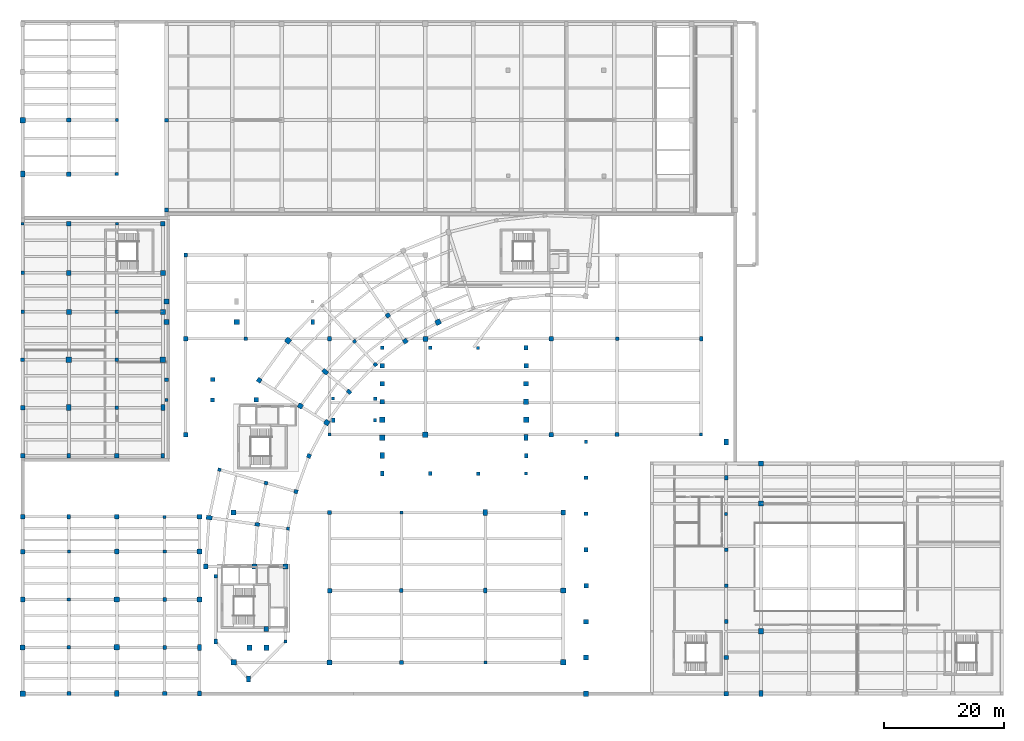
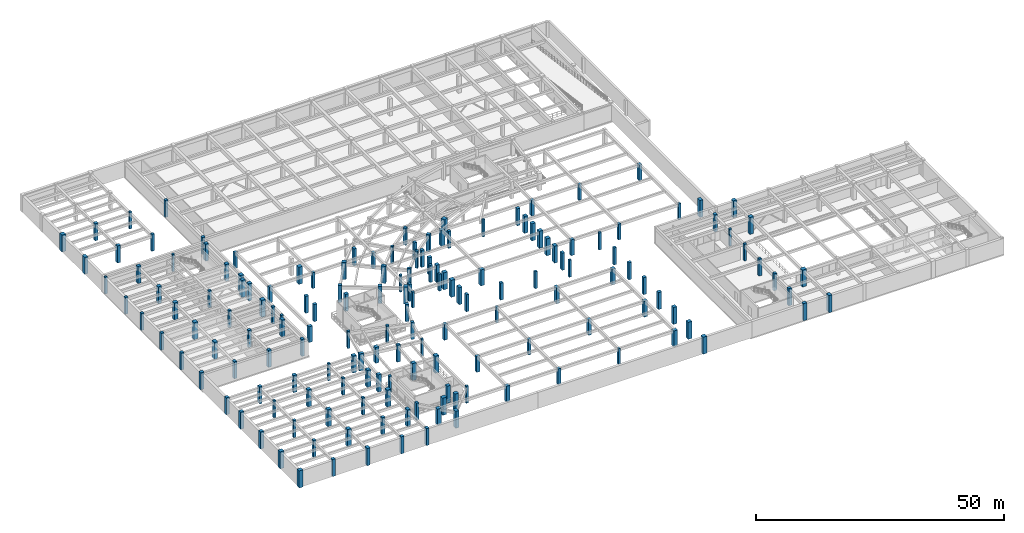
# One storey, part 1 of 35: 165 columns.
"""IFC4 building model written with IfcOpenShell, lengths in metres."""

from ifc_helpers import new_model, si_unit, direction, frame, origin, origin_2d, place, context, subcontext, project, spatial, rectangle, extrude, material, material_profile, profile_set, type_object, element, save


model = new_model("IFC4")

# Units and contexts
model_context = context("Model", 3, precision=1e-05, world=origin(), true_north=direction((0.0, 1.0)))
body_context = subcontext(model_context, "Body", "Model", "MODEL_VIEW")
ifc_project = project(units=[si_unit("LENGTHUNIT", "METRE"), si_unit("AREAUNIT", "SQUARE_METRE"), si_unit("VOLUMEUNIT", "CUBIC_METRE"), si_unit("PLANEANGLEUNIT", "RADIAN"), si_unit("MASSUNIT", "GRAM", prefix="KILO"), si_unit("THERMODYNAMICTEMPERATUREUNIT", "KELVIN"), si_unit("POWERUNIT", "WATT")], contexts=[model_context])

# Site, building, storey
site_placement = place(None, origin())
site = spatial("IfcSite", under=ifc_project, at=site_placement, CompositionType="ELEMENT")
building_placement = place(site_placement, origin())
building = spatial("IfcBuilding", under=site, at=building_placement, Name="Solvatero Civic Police Headquarters", CompositionType="ELEMENT")
storey_placement = place(building_placement, frame((0.0, 0.0, -4.199951171875)))
storey = spatial("IfcBuildingStorey", under=building, at=storey_placement, Name="B01", CompositionType="ELEMENT", Elevation=-4.199951171875)

# Columns
ifc_material = material(Name="Concrete C40/50", Category="concrete")
ifc_material_profile_1 = material_profile(ifc_material, rectangle(XDim=0.5, YDim=0.5, at=origin_2d()), Name="RC 500x500")
ifc_profile_set_1 = profile_set([ifc_material_profile_1], Name="Concrete C40/50")
column_type_1 = type_object("IfcColumnType", Name="COL-RC-500", PredefinedType="COLUMN", material=ifc_profile_set_1)
column_1_placement = place(storey_placement, frame((49.09130859375, 32.3115234375, 0.0), z_axis=(0.0, 0.0, 1.0), x_axis=(0.13917310096, 0.990268068742, 0.0)))
element("IfcColumn", 1, at=column_1_placement, inside=storey, type_object=column_type_1, Name="Column ARC-S11-IN B01", PredefinedType="COLUMN", context=body_context, shape_type="SweptSolid", body=[
    extrude(rectangle(XDim=0.5, YDim=0.5, at=origin_2d()), origin(), (0.0, 0.0, 1.0), 4.199951171875),
])
for number, where, z_axis, x_axis, name in (
    (2, (56.0, 48.0, 0.0), (0.0, 0.0, 1.0), (1.0, 0.0, 0.0), "Column BSUB-M-X3Y1 B01"),
    (3, (118.0, 48.0, 0.0), (0.0, 0.0, 1.0), (1.0, 0.0, 0.0), "Column BSUB-M-X7Y1 B01"),
    (4, (82.0, 10.0, 0.0), (0.0, 0.0, 1.0), (1.0, 0.0, 0.0), "Column BSUB-S-X4Y1 B01"),
):
    element("IfcColumn", number, at=place(storey_placement, frame(where, z_axis=z_axis, x_axis=x_axis)), inside=storey, type_object=column_type_1, Name=name, PredefinedType="COLUMN", context=body_context, shape_type="SweptSolid", body=[
        extrude(rectangle(XDim=0.5, YDim=0.5, at=origin_2d()), origin(), (0.0, 0.0, 1.0), 3.89990234375),
    ])
for number, where, z_axis, x_axis, name in (
    (5, (48.64990234375, 13.5, 0.0), (0.0, 0.0, 1.0), (1.0, 0.0, 0.0), "Column PROW-SE B01"),
    (6, (122.199951171875, 34.800048828125, 0.0), (0.0, 0.0, 1.0), (1.0, 0.0, 0.0), "Column V1-E-F6 B01"),
    (7, (88.800048828125, 41.5, 0.0), (0.0, 0.0, 1.0), (1.0, 0.0, 0.0), "Column V2-E-F1 B01"),
    (8, (80.800048828125, 62.5, 0.0), (0.0, 0.0, 1.0), (1.0, 0.0, 0.0), "Column V2-M2-Y62 B01"),
    (9, (56.60009765625, 54.0, 0.0), (0.0, 0.0, 1.0), (1.0, 0.0, 0.0), "Column V2LK-WN B01"),
    (10, (12.5, 28.5, 0.0), (0.0, 0.0, 1.0), (1.0, 0.0, 0.0), "Column V4-X2Y4 B01"),
    (11, (28.5, 34.300048828125, 0.0), (0.0, 0.0, 1.0), (1.0, 0.0, 0.0), "Column V4-X4Y5 B01"),
    (12, (4.800048828125, 83.199951171875, 0.0), (0.0, 0.0, 1.0), (1.0, 0.0, 0.0), "Column V6-X1Y6 B01"),
    (13, (20.5, 83.199951171875, 0.0), (0.0, 0.0, 1.0), (1.0, 0.0, 0.0), "Column V6-X3Y6 B01"),
    (14, (20.5, 100.5, 0.0), (0.0, 0.0, 1.0), (1.0, 0.0, 0.0), "Column V7NW-X3Y2 B01"),
):
    element("IfcColumn", number, at=place(storey_placement, frame(where, z_axis=z_axis, x_axis=x_axis)), inside=storey, type_object=column_type_1, Name=name, PredefinedType="COLUMN", context=body_context, shape_type="SweptSolid", body=[
        extrude(rectangle(XDim=0.5, YDim=0.5, at=origin_2d()), origin(), (0.0, 0.0, 1.0), 4.199951171875),
    ])
ifc_material_profile_2 = material_profile(ifc_material, rectangle(XDim=0.550048828125, YDim=0.550048828125, at=origin_2d()), Name="RC 550x550")
ifc_profile_set_2 = profile_set([ifc_material_profile_2], Name="Concrete C40/50")
column_type_2 = type_object("IfcColumnType", Name="COL-RC-550", PredefinedType="COLUMN", material=ifc_profile_set_2)
for number, where, z_axis, x_axis, name in (
    (15, (60.17529296875, 63.56591796875, 0.0), (0.0, 0.0, 1.0), (0.743144825477, 0.669130606359, 0.0), "Column ARC-S06-MID B01"),
    (16, (37.6220703125, 42.166015625, 0.0), (0.0, 0.0, 1.0), (0.275637355817, 0.961261695938, 0.0), "Column ARC-S10-OUT B01"),
):
    element("IfcColumn", number, at=place(storey_placement, frame(where, z_axis=z_axis, x_axis=x_axis)), inside=storey, type_object=column_type_2, Name=name, PredefinedType="COLUMN", context=body_context, shape_type="SweptSolid", body=[
        extrude(rectangle(XDim=0.550048828125, YDim=0.550048828125, at=origin_2d()), origin(), (0.0, 0.0, 1.0), 4.199951171875),
    ])
column_2_placement = place(storey_placement, frame((68.0, 35.0, 0.0), z_axis=(0.0, 0.0, 1.0), x_axis=(1.0, 0.0, 0.0)))
element("IfcColumn", 17, at=column_2_placement, inside=storey, type_object=column_type_2, Name="Column BSUB-S-X3Y3 B01", PredefinedType="COLUMN", context=body_context, shape_type="SweptSolid", body=[
    extrude(rectangle(XDim=0.550048828125, YDim=0.550048828125, at=origin_2d()), origin(), (0.0, 0.0, 1.0), 3.89990234375),
])
for number, where, z_axis, x_axis, name in (
    (18, (37.0, 24.39990234375, 0.0), (0.0, 0.0, 1.0), (1.0, 0.0, 0.0), "Column PROW-NW B01"),
    (19, (28.800048828125, 53.800048828125, 0.0), (0.0, 0.0, 1.0), (1.0, 0.0, 0.0), "Column SB1-W-S B01"),
    (20, (122.199951171875, 28.800048828125, 0.0), (0.0, 0.0, 1.0), (1.0, 0.0, 0.0), "Column V1-E-F5 B01"),
    (21, (98.800048828125, 46.800048828125, 0.0), (0.0, 0.0, 1.0), (1.0, 0.0, 0.0), "Column V1-W-F8 B01"),
    (22, (80.800048828125, 41.5, 0.0), (0.0, 0.0, 1.0), (1.0, 0.0, 0.0), "Column V2-M2-Y41 B01"),
    (23, (63.60009765625, 50.39990234375, 0.0), (0.0, 0.0, 1.0), (1.0, 0.0, 0.0), "Column V2LK-ES B01"),
    (24, (12.5, 20.5, 0.0), (0.0, 0.0, 1.0), (1.0, 0.0, 0.0), "Column V4-X2Y3 B01"),
    (25, (28.5, 28.5, 0.0), (0.0, 0.0, 1.0), (1.0, 0.0, 0.0), "Column V4-X4Y4 B01"),
    (26, (4.800048828125, 75.0, 0.0), (0.0, 0.0, 1.0), (1.0, 0.0, 0.0), "Column V6-X1Y5 B01"),
    (27, (20.5, 68.5, 0.0), (0.0, 0.0, 1.0), (1.0, 0.0, 0.0), "Column V6-X3Y4 B01"),
    (28, (20.5, 91.5, 0.0), (0.0, 0.0, 1.0), (1.0, 0.0, 0.0), "Column V7NW-X3Y1 B01"),
):
    element("IfcColumn", number, at=place(storey_placement, frame(where, z_axis=z_axis, x_axis=x_axis)), inside=storey, type_object=column_type_2, Name=name, PredefinedType="COLUMN", context=body_context, shape_type="SweptSolid", body=[
        extrude(rectangle(XDim=0.550048828125, YDim=0.550048828125, at=origin_2d()), origin(), (0.0, 0.0, 1.0), 4.199951171875),
    ])
ifc_material_profile_3 = material_profile(ifc_material, rectangle(XDim=0.60009765625, YDim=0.60009765625, at=origin_2d()), Name="RC 600x600")
ifc_profile_set_3 = profile_set([ifc_material_profile_3], Name="Concrete C40/50")
column_type_3 = type_object("IfcColumnType", Name="COL-RC-600", PredefinedType="COLUMN", material=ifc_profile_set_3)
for number, where, z_axis, x_axis, name in (
    (29, (63.65478515625, 59.70166015625, 0.0), (0.0, 0.0, 1.0), (0.743144825477, 0.669130606359, 0.0), "Column ARC-S06-IN B01"),
    (30, (45.408203125, 39.93359375, 0.0), (0.0, 0.0, 1.0), (0.275637355817, 0.961261695938, 0.0), "Column ARC-S10-MID B01"),
):
    element("IfcColumn", number, at=place(storey_placement, frame(where, z_axis=z_axis, x_axis=x_axis)), inside=storey, type_object=column_type_3, Name=name, PredefinedType="COLUMN", context=body_context, shape_type="SweptSolid", body=[
        extrude(rectangle(XDim=0.60009765625, YDim=0.60009765625, at=origin_2d()), origin(), (0.0, 0.0, 1.0), 4.199951171875),
    ])
for number, where, z_axis, x_axis, name in (
    (31, (42.0, 64.0, 0.0), (0.0, 0.0, 1.0), (1.0, 0.0, 0.0), "Column BSUB-M-X2Y2 B01"),
    (32, (104.0, 64.0, 0.0), (0.0, 0.0, 1.0), (1.0, 0.0, 0.0), "Column BSUB-M-X6Y2 B01"),
    (33, (68.0, 22.0, 0.0), (0.0, 0.0, 1.0), (1.0, 0.0, 0.0), "Column BSUB-S-X3Y2 B01"),
):
    element("IfcColumn", number, at=place(storey_placement, frame(where, z_axis=z_axis, x_axis=x_axis)), inside=storey, type_object=column_type_3, Name=name, PredefinedType="COLUMN", context=body_context, shape_type="SweptSolid", body=[
        extrude(rectangle(XDim=0.60009765625, YDim=0.60009765625, at=origin_2d()), origin(), (0.0, 0.0, 1.0), 3.89990234375),
    ])
for number, where, z_axis, x_axis, name in (
    (34, (28.800048828125, 57.199951171875, 0.0), (0.0, 0.0, 1.0), (1.0, 0.0, 0.0), "Column SB1-W-N B01"),
    (35, (122.199951171875, 22.800048828125, 0.0), (0.0, 0.0, 1.0), (1.0, 0.0, 0.0), "Column V1-E-F4 B01"),
    (36, (98.800048828125, 40.800048828125, 0.0), (0.0, 0.0, 1.0), (1.0, 0.0, 0.0), "Column V1-W-F7 B01"),
    (37, (72.800048828125, 62.5, 0.0), (0.0, 0.0, 1.0), (1.0, 0.0, 0.0), "Column V2-M1-Y62 B01"),
    (38, (63.60009765625, 54.0, 0.0), (0.0, 0.0, 1.0), (1.0, 0.0, 0.0), "Column V2LK-EN B01"),
    (39, (12.5, 12.5, 0.0), (0.0, 0.0, 1.0), (1.0, 0.0, 0.0), "Column V4-X2Y2 B01"),
    (40, (28.5, 20.5, 0.0), (0.0, 0.0, 1.0), (1.0, 0.0, 0.0), "Column V4-X4Y3 B01"),
    (41, (4.800048828125, 68.5, 0.0), (0.0, 0.0, 1.0), (1.0, 0.0, 0.0), "Column V6-X1Y4 B01"),
    (42, (20.5, 60.5, 0.0), (0.0, 0.0, 1.0), (1.0, 0.0, 0.0), "Column V6-X3Y3 B01"),
    (43, (28.800048828125, 100.5, 0.0), (0.0, 0.0, 1.0), (1.0, 0.0, 0.0), "Column V7-X1Y2 B01"),
):
    element("IfcColumn", number, at=place(storey_placement, frame(where, z_axis=z_axis, x_axis=x_axis)), inside=storey, type_object=column_type_3, Name=name, PredefinedType="COLUMN", context=body_context, shape_type="SweptSolid", body=[
        extrude(rectangle(XDim=0.60009765625, YDim=0.60009765625, at=origin_2d()), origin(), (0.0, 0.0, 1.0), 4.199951171875),
    ])
ifc_material_profile_4 = material_profile(ifc_material, rectangle(XDim=0.60009765625, YDim=0.800048828125, at=origin_2d()), Name="RC 600x800")
ifc_profile_set_4 = profile_set([ifc_material_profile_4], Name="Concrete C40/50")
column_type_4 = type_object("IfcColumnType", Name="COL-RC-600x800", PredefinedType="COLUMN", material=ifc_profile_set_4)
for number, where, z_axis, x_axis, name in (
    (44, (59.260009765625, 55.150390625, 0.0), (0.0, 0.0, 1.0), (0.642787609687, 0.766044443119, 0.0), "Column ARC-S07-IN B01"),
    (45, (43.94189453125, 33.03515625, 0.0), (0.0, 0.0, 1.0), (0.13917310096, 0.990268068742, 0.0), "Column ARC-S11-MID B01"),
):
    element("IfcColumn", number, at=place(storey_placement, frame(where, z_axis=z_axis, x_axis=x_axis)), inside=storey, type_object=column_type_4, Name=name, PredefinedType="COLUMN", context=body_context, shape_type="SweptSolid", body=[
        extrude(rectangle(XDim=0.60009765625, YDim=0.800048828125, at=origin_2d()), origin(), (0.0, 0.0, 1.0), 4.199951171875),
    ])
for number, where, z_axis, x_axis, name in (
    (46, (56.0, 64.0, 0.0), (0.0, 0.0, 1.0), (1.0, 0.0, 0.0), "Column BSUB-M-X3Y2 B01"),
    (47, (118.0, 64.0, 0.0), (0.0, 0.0, 1.0), (1.0, 0.0, 0.0), "Column BSUB-M-X7Y2 B01"),
    (48, (82.0, 22.0, 0.0), (0.0, 0.0, 1.0), (1.0, 0.0, 0.0), "Column BSUB-S-X4Y2 B01"),
):
    element("IfcColumn", number, at=place(storey_placement, frame(where, z_axis=z_axis, x_axis=x_axis)), inside=storey, type_object=column_type_4, Name=name, PredefinedType="COLUMN", context=body_context, shape_type="SweptSolid", body=[
        extrude(rectangle(XDim=0.60009765625, YDim=0.800048828125, at=origin_2d()), origin(), (0.0, 0.0, 1.0), 3.89990234375),
    ])
for number, where, z_axis, x_axis, name in (
    (49, (37.0, 13.5, 0.0), (0.0, 0.0, 1.0), (1.0, 0.0, 0.0), "Column PROW-SW B01"),
    (50, (53.199951171875, 66.800048828125, 0.0), (0.0, 0.0, 1.0), (1.0, 0.0, 0.0), "Column SB2-E-S B01"),
    (51, (122.199951171875, 40.800048828125, 0.0), (0.0, 0.0, 1.0), (1.0, 0.0, 0.0), "Column V1-E-F7 B01"),
    (52, (88.800048828125, 44.5, 0.0), (0.0, 0.0, 1.0), (1.0, 0.0, 0.0), "Column V2-E-F2 B01"),
    (53, (64.800048828125, 41.5, 0.0), (0.0, 0.0, 1.0), (1.0, 0.0, 0.0), "Column V2-W-F1 B01"),
    (54, (56.60009765625, 50.39990234375, 0.0), (0.0, 0.0, 1.0), (1.0, 0.0, 0.0), "Column V2LK-WS B01"),
    (55, (12.5, 34.300048828125, 0.0), (0.0, 0.0, 1.0), (1.0, 0.0, 0.0), "Column V4-X2Y5 B01"),
    (56, (34.300048828125, 4.800048828125, 0.0), (0.0, 0.0, 1.0), (1.0, 0.0, 0.0), "Column V4-X5Y1 B01"),
    (57, (12.5, 44.5, 0.0), (0.0, 0.0, 1.0), (1.0, 0.0, 0.0), "Column V6-X2Y1 B01"),
    (58, (28.199951171875, 44.5, 0.0), (0.0, 0.0, 1.0), (1.0, 0.0, 0.0), "Column V6-X4Y1 B01"),
):
    element("IfcColumn", number, at=place(storey_placement, frame(where, z_axis=z_axis, x_axis=x_axis)), inside=storey, type_object=column_type_4, Name=name, PredefinedType="COLUMN", context=body_context, shape_type="SweptSolid", body=[
        extrude(rectangle(XDim=0.60009765625, YDim=0.800048828125, at=origin_2d()), origin(), (0.0, 0.0, 1.0), 4.199951171875),
    ])
ifc_material_profile_5 = material_profile(ifc_material, rectangle(XDim=0.64990234375, YDim=0.64990234375, at=origin_2d()), Name="RC 650x650")
ifc_profile_set_5 = profile_set([ifc_material_profile_5], Name="Concrete C40/50")
column_type_5 = type_object("IfcColumnType", Name="COL-RC-650", PredefinedType="COLUMN", material=ifc_profile_set_5)
column_3_placement = place(storey_placement, frame((50.40673828125, 38.500244140625, 0.0), z_axis=(0.0, 0.0, 1.0), x_axis=(0.275637355817, 0.961261695938, 0.0)))
element("IfcColumn", 59, at=column_3_placement, inside=storey, type_object=column_type_5, Name="Column ARC-S10-IN B01", PredefinedType="COLUMN", context=body_context, shape_type="SweptSolid", body=[
    extrude(rectangle(XDim=0.64990234375, YDim=0.64990234375, at=origin_2d()), origin(), (0.0, 0.0, 1.0), 4.199951171875),
])
for number, where, z_axis, x_axis, name in (
    (60, (32.0, 78.0, 0.0), (0.0, 0.0, 1.0), (1.0, 0.0, 0.0), "Column BSUB-M-X1Y3 B01"),
    (61, (104.0, 48.0, 0.0), (0.0, 0.0, 1.0), (1.0, 0.0, 0.0), "Column BSUB-M-X6Y1 B01"),
    (62, (68.0, 10.0, 0.0), (0.0, 0.0, 1.0), (1.0, 0.0, 0.0), "Column BSUB-S-X3Y1 B01"),
):
    element("IfcColumn", number, at=place(storey_placement, frame(where, z_axis=z_axis, x_axis=x_axis)), inside=storey, type_object=column_type_5, Name=name, PredefinedType="COLUMN", context=body_context, shape_type="SweptSolid", body=[
        extrude(rectangle(XDim=0.64990234375, YDim=0.64990234375, at=origin_2d()), origin(), (0.0, 0.0, 1.0), 3.89990234375),
    ])
for number, where, z_axis, x_axis, name in (
    (63, (36.5, 53.800048828125, 0.0), (0.0, 0.0, 1.0), (1.0, 0.0, 0.0), "Column SB1-MID-S B01"),
    (64, (122.199951171875, 16.800048828125, 0.0), (0.0, 0.0, 1.0), (1.0, 0.0, 0.0), "Column V1-E-F3 B01"),
    (65, (98.800048828125, 34.800048828125, 0.0), (0.0, 0.0, 1.0), (1.0, 0.0, 0.0), "Column V1-W-F6 B01"),
    (66, (72.800048828125, 41.5, 0.0), (0.0, 0.0, 1.0), (1.0, 0.0, 0.0), "Column V2-M1-Y41 B01"),
    (67, (64.800048828125, 62.5, 0.0), (0.0, 0.0, 1.0), (1.0, 0.0, 0.0), "Column V2-W-F8 B01"),
    (68, (12.5, 4.800048828125, 0.0), (0.0, 0.0, 1.0), (1.0, 0.0, 0.0), "Column V4-X2Y1 B01"),
    (69, (28.5, 12.5, 0.0), (0.0, 0.0, 1.0), (1.0, 0.0, 0.0), "Column V4-X4Y2 B01"),
    (70, (4.800048828125, 60.5, 0.0), (0.0, 0.0, 1.0), (1.0, 0.0, 0.0), "Column V6-X1Y3 B01"),
    (71, (20.5, 52.5, 0.0), (0.0, 0.0, 1.0), (1.0, 0.0, 0.0), "Column V6-X3Y2 B01"),
    (72, (28.800048828125, 85.5, 0.0), (0.0, 0.0, 1.0), (1.0, 0.0, 0.0), "Column V7-X1Y1 B01"),
):
    element("IfcColumn", number, at=place(storey_placement, frame(where, z_axis=z_axis, x_axis=x_axis)), inside=storey, type_object=column_type_5, Name=name, PredefinedType="COLUMN", context=body_context, shape_type="SweptSolid", body=[
        extrude(rectangle(XDim=0.64990234375, YDim=0.64990234375, at=origin_2d()), origin(), (0.0, 0.0, 1.0), 4.199951171875),
    ])
ifc_material_profile_6 = material_profile(ifc_material, rectangle(XDim=0.699951171875, YDim=0.699951171875, at=origin_2d()), Name="RC 700x700")
ifc_profile_set_6 = profile_set([ifc_material_profile_6], Name="Concrete C40/50")
column_type_6 = type_object("IfcColumnType", Name="COL-RC-700", PredefinedType="COLUMN", material=ifc_profile_set_6)
for number, where, z_axis, x_axis, name in (
    (73, (65.73291015625, 67.90771484375, 0.0), (0.0, 0.0, 1.0), (0.829037572555, 0.559192903471, 0.0), "Column ARC-S05-MID B01"),
    (74, (52.57080078125, 44.445556640625, 0.0), (0.0, 0.0, 1.0), (0.406736643076, 0.913545457643, 0.0), "Column ARC-S09-IN B01"),
):
    element("IfcColumn", number, at=place(storey_placement, frame(where, z_axis=z_axis, x_axis=x_axis)), inside=storey, type_object=column_type_6, Name=name, PredefinedType="COLUMN", context=body_context, shape_type="SweptSolid", body=[
        extrude(rectangle(XDim=0.699951171875, YDim=0.699951171875, at=origin_2d()), origin(), (0.0, 0.0, 1.0), 4.199951171875),
    ])
for number, where, z_axis, x_axis, name in (
    (75, (32.0, 64.0, 0.0), (0.0, 0.0, 1.0), (1.0, 0.0, 0.0), "Column BSUB-M-X1Y2 B01"),
    (76, (93.0, 64.0, 0.0), (0.0, 0.0, 1.0), (1.0, 0.0, 0.0), "Column BSUB-M-X5Y2 B01"),
    (77, (56.0, 35.0, 0.0), (0.0, 0.0, 1.0), (1.0, 0.0, 0.0), "Column BSUB-S-X2Y3 B01"),
):
    element("IfcColumn", number, at=place(storey_placement, frame(where, z_axis=z_axis, x_axis=x_axis)), inside=storey, type_object=column_type_6, Name=name, PredefinedType="COLUMN", context=body_context, shape_type="SweptSolid", body=[
        extrude(rectangle(XDim=0.699951171875, YDim=0.699951171875, at=origin_2d()), origin(), (0.0, 0.0, 1.0), 3.89990234375),
    ])
for number, where, z_axis, x_axis, name in (
    (78, (36.5, 57.199951171875, 0.0), (0.0, 0.0, 1.0), (1.0, 0.0, 0.0), "Column SB1-MID-N B01"),
    (79, (122.199951171875, 10.800048828125, 0.0), (0.0, 0.0, 1.0), (1.0, 0.0, 0.0), "Column V1-E-F2 B01"),
    (80, (98.800048828125, 28.800048828125, 0.0), (0.0, 0.0, 1.0), (1.0, 0.0, 0.0), "Column V1-W-F5 B01"),
    (81, (88.800048828125, 62.5, 0.0), (0.0, 0.0, 1.0), (1.0, 0.0, 0.0), "Column V2-E-F8 B01"),
    (82, (64.800048828125, 59.5, 0.0), (0.0, 0.0, 1.0), (1.0, 0.0, 0.0), "Column V2-W-F7 B01"),
    (83, (4.800048828125, 34.300048828125, 0.0), (0.0, 0.0, 1.0), (1.0, 0.0, 0.0), "Column V4-X1Y5 B01"),
    (84, (28.5, 4.800048828125, 0.0), (0.0, 0.0, 1.0), (1.0, 0.0, 0.0), "Column V4-X4Y1 B01"),
    (85, (4.800048828125, 52.5, 0.0), (0.0, 0.0, 1.0), (1.0, 0.0, 0.0), "Column V6-X1Y2 B01"),
    (86, (20.5, 44.5, 0.0), (0.0, 0.0, 1.0), (1.0, 0.0, 0.0), "Column V6-X3Y1 B01"),
    (87, (12.5, 100.5, 0.0), (0.0, 0.0, 1.0), (1.0, 0.0, 0.0), "Column V7NW-X2Y2 B01"),
):
    element("IfcColumn", number, at=place(storey_placement, frame(where, z_axis=z_axis, x_axis=x_axis)), inside=storey, type_object=column_type_6, Name=name, PredefinedType="COLUMN", context=body_context, shape_type="SweptSolid", body=[
        extrude(rectangle(XDim=0.699951171875, YDim=0.699951171875, at=origin_2d()), origin(), (0.0, 0.0, 1.0), 4.199951171875),
    ])
ifc_material_profile_7 = material_profile(ifc_material, rectangle(XDim=0.699951171875, YDim=1.0, at=origin_2d()), Name="RC 700x1000")
ifc_profile_set_7 = profile_set([ifc_material_profile_7], Name="Concrete C40/50")
column_type_7 = type_object("IfcColumnType", Name="COL-RC-700x1000", PredefinedType="COLUMN", material=ifc_profile_set_7)
for number, where, z_axis, x_axis, name in (
    (88, (55.276611328125, 58.492919921875, 0.0), (0.0, 0.0, 1.0), (0.642787609687, 0.766044443119, 0.0), "Column ARC-S07-MID B01"),
    (89, (35.9208984375, 34.16259765625, 0.0), (0.0, 0.0, 1.0), (0.13917310096, 0.990268068742, 0.0), "Column ARC-S11-OUT B01"),
):
    element("IfcColumn", number, at=place(storey_placement, frame(where, z_axis=z_axis, x_axis=x_axis)), inside=storey, type_object=column_type_7, Name=name, PredefinedType="COLUMN", context=body_context, shape_type="SweptSolid", body=[
        extrude(rectangle(XDim=0.699951171875, YDim=1.0, at=origin_2d()), origin(), (0.0, 0.0, 1.0), 4.199951171875),
    ])
column_4_placement = place(storey_placement, frame((82.0, 35.0, 0.0), z_axis=(0.0, 0.0, 1.0), x_axis=(1.0, 0.0, 0.0)))
element("IfcColumn", 90, at=column_4_placement, inside=storey, type_object=column_type_7, Name="Column BSUB-S-X4Y3 B01", PredefinedType="COLUMN", context=body_context, shape_type="SweptSolid", body=[
    extrude(rectangle(XDim=0.699951171875, YDim=1.0, at=origin_2d()), origin(), (0.0, 0.0, 1.0), 3.89990234375),
])
for number, where, z_axis, x_axis, name in (
    (91, (42.5, 7.199951171875, 0.0), (0.0, 0.0, 1.0), (1.0, 0.0, 0.0), "Column PROW-TIP B01"),
    (92, (122.199951171875, 46.800048828125, 0.0), (0.0, 0.0, 1.0), (1.0, 0.0, 0.0), "Column V1-E-F8 B01"),
    (93, (88.800048828125, 47.5, 0.0), (0.0, 0.0, 1.0), (1.0, 0.0, 0.0), "Column V2-E-F3 B01"),
    (94, (64.800048828125, 44.5, 0.0), (0.0, 0.0, 1.0), (1.0, 0.0, 0.0), "Column V2-W-F2 B01"),
    (95, (128.0, 4.800048828125, 0.0), (0.0, 0.0, 1.0), (1.0, 0.0, 0.0), "Column V3-X1Y1 B01"),
    (96, (20.5, 4.800048828125, 0.0), (0.0, 0.0, 1.0), (1.0, 0.0, 0.0), "Column V4-X3Y1 B01"),
    (97, (34.300048828125, 12.5, 0.0), (0.0, 0.0, 1.0), (1.0, 0.0, 0.0), "Column V4-X5Y2 B01"),
    (98, (12.5, 52.5, 0.0), (0.0, 0.0, 1.0), (1.0, 0.0, 0.0), "Column V6-X2Y2 B01"),
    (99, (28.199951171875, 52.5, 0.0), (0.0, 0.0, 1.0), (1.0, 0.0, 0.0), "Column V6-X4Y2 B01"),
    (100, (4.800048828125, 91.5, 0.0), (0.0, 0.0, 1.0), (1.0, 0.0, 0.0), "Column V7NW-X1Y1 B01"),
):
    element("IfcColumn", number, at=place(storey_placement, frame(where, z_axis=z_axis, x_axis=x_axis)), inside=storey, type_object=column_type_7, Name=name, PredefinedType="COLUMN", context=body_context, shape_type="SweptSolid", body=[
        extrude(rectangle(XDim=0.699951171875, YDim=1.0, at=origin_2d()), origin(), (0.0, 0.0, 1.0), 4.199951171875),
    ])
ifc_material_profile_8 = material_profile(ifc_material, rectangle(XDim=0.75, YDim=0.75, at=origin_2d()), Name="RC 750x750")
ifc_profile_set_8 = profile_set([ifc_material_profile_8], Name="Concrete C40/50")
column_type_8 = type_object("IfcColumnType", Name="COL-RC-750", PredefinedType="COLUMN", material=ifc_profile_set_8)
for number, where, z_axis, x_axis, name in (
    (101, (68.640625, 63.596923828125, 0.0), (0.0, 0.0, 1.0), (0.829037572555, 0.559192903471, 0.0), "Column ARC-S05-IN B01"),
    (102, (44.261962890625, 57.079833984375, 0.0), (0.0, 0.0, 1.0), (0.529919264233, 0.848048096156, 0.0), "Column ARC-S08-OUT B01"),
):
    element("IfcColumn", number, at=place(storey_placement, frame(where, z_axis=z_axis, x_axis=x_axis)), inside=storey, type_object=column_type_8, Name=name, PredefinedType="COLUMN", context=body_context, shape_type="SweptSolid", body=[
        extrude(rectangle(XDim=0.75, YDim=0.75, at=origin_2d()), origin(), (0.0, 0.0, 1.0), 4.199951171875),
    ])
for number, where, z_axis, x_axis, name in (
    (103, (32.0, 48.0, 0.0), (0.0, 0.0, 1.0), (1.0, 0.0, 0.0), "Column BSUB-M-X1Y1 B01"),
    (104, (93.0, 48.0, 0.0), (0.0, 0.0, 1.0), (1.0, 0.0, 0.0), "Column BSUB-M-X5Y1 B01"),
    (105, (56.0, 22.0, 0.0), (0.0, 0.0, 1.0), (1.0, 0.0, 0.0), "Column BSUB-S-X2Y2 B01"),
):
    element("IfcColumn", number, at=place(storey_placement, frame(where, z_axis=z_axis, x_axis=x_axis)), inside=storey, type_object=column_type_8, Name=name, PredefinedType="COLUMN", context=body_context, shape_type="SweptSolid", body=[
        extrude(rectangle(XDim=0.75, YDim=0.75, at=origin_2d()), origin(), (0.0, 0.0, 1.0), 3.89990234375),
    ])
for number, where, z_axis, x_axis, name in (
    (106, (43.800048828125, 53.800048828125, 0.0), (0.0, 0.0, 1.0), (1.0, 0.0, 0.0), "Column SB1-E-S B01"),
    (107, (122.199951171875, 4.800048828125, 0.0), (0.0, 0.0, 1.0), (1.0, 0.0, 0.0), "Column V1-E-F1 B01"),
    (108, (98.800048828125, 22.800048828125, 0.0), (0.0, 0.0, 1.0), (1.0, 0.0, 0.0), "Column V1-W-F4 B01"),
    (109, (88.800048828125, 59.5, 0.0), (0.0, 0.0, 1.0), (1.0, 0.0, 0.0), "Column V2-E-F7 B01"),
    (110, (64.800048828125, 56.5, 0.0), (0.0, 0.0, 1.0), (1.0, 0.0, 0.0), "Column V2-W-F6 B01"),
    (111, (4.800048828125, 28.5, 0.0), (0.0, 0.0, 1.0), (1.0, 0.0, 0.0), "Column V4-X1Y4 B01"),
    (112, (20.5, 34.300048828125, 0.0), (0.0, 0.0, 1.0), (1.0, 0.0, 0.0), "Column V4-X3Y5 B01"),
    (113, (4.800048828125, 44.5, 0.0), (0.0, 0.0, 1.0), (1.0, 0.0, 0.0), "Column V6-X1Y1 B01"),
    (114, (12.5, 83.199951171875, 0.0), (0.0, 0.0, 1.0), (1.0, 0.0, 0.0), "Column V6-X2Y6 B01"),
    (115, (28.199951171875, 83.199951171875, 0.0), (0.0, 0.0, 1.0), (1.0, 0.0, 0.0), "Column V6-X4Y6 B01"),
    (116, (12.5, 91.5, 0.0), (0.0, 0.0, 1.0), (1.0, 0.0, 0.0), "Column V7NW-X2Y1 B01"),
):
    element("IfcColumn", number, at=place(storey_placement, frame(where, z_axis=z_axis, x_axis=x_axis)), inside=storey, type_object=column_type_8, Name=name, PredefinedType="COLUMN", context=body_context, shape_type="SweptSolid", body=[
        extrude(rectangle(XDim=0.75, YDim=0.75, at=origin_2d()), origin(), (0.0, 0.0, 1.0), 4.199951171875),
    ])
ifc_material_profile_9 = material_profile(ifc_material, rectangle(XDim=0.800048828125, YDim=0.800048828125, at=origin_2d()), Name="RC 800x800")
ifc_profile_set_9 = profile_set([ifc_material_profile_9], Name="Concrete C40/50")
column_type_9 = type_object("IfcColumnType", Name="COL-RC-800", PredefinedType="COLUMN", material=ifc_profile_set_9)
for number, where, z_axis, x_axis, name in (
    (117, (51.131103515625, 52.787353515625, 0.0), (0.0, 0.0, 1.0), (0.529919264233, 0.848048096156, 0.0), "Column ARC-S08-MID B01"),
    (118, (35.35009765625, 26.0, 0.0), (0.0, 0.0, 1.0), (0.0, 1.0, 0.0), "Column ARC-S12-OUT B01"),
):
    element("IfcColumn", number, at=place(storey_placement, frame(where, z_axis=z_axis, x_axis=x_axis)), inside=storey, type_object=column_type_9, Name=name, PredefinedType="COLUMN", context=body_context, shape_type="SweptSolid", body=[
        extrude(rectangle(XDim=0.800048828125, YDim=0.800048828125, at=origin_2d()), origin(), (0.0, 0.0, 1.0), 4.199951171875),
    ])
for number, where, z_axis, x_axis, name in (
    (119, (56.0, 10.0, 0.0), (0.0, 0.0, 1.0), (1.0, 0.0, 0.0), "Column BSUB-S-X2Y1 B01"),
    (120, (95.0, 35.0, 0.0), (0.0, 0.0, 1.0), (1.0, 0.0, 0.0), "Column BSUB-S-X5Y3 B01"),
):
    element("IfcColumn", number, at=place(storey_placement, frame(where, z_axis=z_axis, x_axis=x_axis)), inside=storey, type_object=column_type_9, Name=name, PredefinedType="COLUMN", context=body_context, shape_type="SweptSolid", body=[
        extrude(rectangle(XDim=0.800048828125, YDim=0.800048828125, at=origin_2d()), origin(), (0.0, 0.0, 1.0), 3.89990234375),
    ])
for number, where, z_axis, x_axis, name in (
    (121, (45.449951171875, 15.60009765625, 0.0), (0.0, 0.0, 1.0), (1.0, 0.0, 0.0), "Column PRWS3 B01"),
    (122, (28.800048828125, 66.800048828125, 0.0), (0.0, 0.0, 1.0), (1.0, 0.0, 0.0), "Column SB2-W-S B01"),
    (123, (98.800048828125, 16.800048828125, 0.0), (0.0, 0.0, 1.0), (1.0, 0.0, 0.0), "Column V1-W-F3 B01"),
    (124, (88.800048828125, 56.5, 0.0), (0.0, 0.0, 1.0), (1.0, 0.0, 0.0), "Column V2-E-F6 B01"),
    (125, (64.800048828125, 53.5, 0.0), (0.0, 0.0, 1.0), (1.0, 0.0, 0.0), "Column V2-W-F5 B01"),
    (126, (128.0, 43.199951171875, 0.0), (0.0, 0.0, 1.0), (1.0, 0.0, 0.0), "Column V3-X1Y4 B01"),
    (127, (4.800048828125, 20.5, 0.0), (0.0, 0.0, 1.0), (1.0, 0.0, 0.0), "Column V4-X1Y3 B01"),
    (128, (20.5, 28.5, 0.0), (0.0, 0.0, 1.0), (1.0, 0.0, 0.0), "Column V4-X3Y4 B01"),
    (129, (34.300048828125, 34.300048828125, 0.0), (0.0, 0.0, 1.0), (1.0, 0.0, 0.0), "Column V4-X5Y5 B01"),
    (130, (12.5, 75.0, 0.0), (0.0, 0.0, 1.0), (1.0, 0.0, 0.0), "Column V6-X2Y5 B01"),
    (131, (28.199951171875, 75.0, 0.0), (0.0, 0.0, 1.0), (1.0, 0.0, 0.0), "Column V6-X4Y5 B01"),
):
    element("IfcColumn", number, at=place(storey_placement, frame(where, z_axis=z_axis, x_axis=x_axis)), inside=storey, type_object=column_type_9, Name=name, PredefinedType="COLUMN", context=body_context, shape_type="SweptSolid", body=[
        extrude(rectangle(XDim=0.800048828125, YDim=0.800048828125, at=origin_2d()), origin(), (0.0, 0.0, 1.0), 4.199951171875),
    ])
ifc_material_profile_10 = material_profile(ifc_material, rectangle(XDim=0.85009765625, YDim=0.85009765625, at=origin_2d()), Name="RC 850x850")
ifc_profile_set_10 = profile_set([ifc_material_profile_10], Name="Concrete C40/50")
column_type_10 = type_object("IfcColumnType", Name="COL-RC-850", PredefinedType="COLUMN", material=ifc_profile_set_10)
for number, where, z_axis, x_axis, name in (
    (132, (55.541015625, 50.03173828125, 0.0), (0.0, 0.0, 1.0), (0.529919264233, 0.848048096156, 0.0), "Column ARC-S08-IN B01"),
    (133, (43.449951171875, 26.0, 0.0), (0.0, 0.0, 1.0), (0.0, 1.0, 0.0), "Column ARC-S12-MID B01"),
):
    element("IfcColumn", number, at=place(storey_placement, frame(where, z_axis=z_axis, x_axis=x_axis)), inside=storey, type_object=column_type_10, Name=name, PredefinedType="COLUMN", context=body_context, shape_type="SweptSolid", body=[
        extrude(rectangle(XDim=0.85009765625, YDim=0.85009765625, at=origin_2d()), origin(), (0.0, 0.0, 1.0), 4.199951171875),
    ])
for number, where, z_axis, x_axis, name in (
    (134, (72.0, 64.0, 0.0), (0.0, 0.0, 1.0), (1.0, 0.0, 0.0), "Column BSUB-M-X4Y2 B01"),
    (135, (40.0, 35.0, 0.0), (0.0, 0.0, 1.0), (1.0, 0.0, 0.0), "Column BSUB-S-X1Y3 B01"),
    (136, (95.0, 22.0, 0.0), (0.0, 0.0, 1.0), (1.0, 0.0, 0.0), "Column BSUB-S-X5Y2 B01"),
):
    element("IfcColumn", number, at=place(storey_placement, frame(where, z_axis=z_axis, x_axis=x_axis)), inside=storey, type_object=column_type_10, Name=name, PredefinedType="COLUMN", context=body_context, shape_type="SweptSolid", body=[
        extrude(rectangle(XDim=0.85009765625, YDim=0.85009765625, at=origin_2d()), origin(), (0.0, 0.0, 1.0), 3.89990234375),
    ])
for number, where, z_axis, x_axis, name in (
    (137, (45.449951171875, 12.449951171875, 0.0), (0.0, 0.0, 1.0), (1.0, 0.0, 0.0), "Column PRWS2 B01"),
    (138, (28.800048828125, 70.199951171875, 0.0), (0.0, 0.0, 1.0), (1.0, 0.0, 0.0), "Column SB2-W-N B01"),
    (139, (98.800048828125, 10.800048828125, 0.0), (0.0, 0.0, 1.0), (1.0, 0.0, 0.0), "Column V1-W-F2 B01"),
    (140, (88.800048828125, 53.5, 0.0), (0.0, 0.0, 1.0), (1.0, 0.0, 0.0), "Column V2-E-F5 B01"),
    (141, (64.800048828125, 50.5, 0.0), (0.0, 0.0, 1.0), (1.0, 0.0, 0.0), "Column V2-W-F4 B01"),
    (142, (128.0, 36.5, 0.0), (0.0, 0.0, 1.0), (1.0, 0.0, 0.0), "Column V3-X1Y3 B01"),
    (143, (4.800048828125, 12.5, 0.0), (0.0, 0.0, 1.0), (1.0, 0.0, 0.0), "Column V4-X1Y2 B01"),
    (144, (20.5, 20.5, 0.0), (0.0, 0.0, 1.0), (1.0, 0.0, 0.0), "Column V4-X3Y3 B01"),
    (145, (34.300048828125, 28.5, 0.0), (0.0, 0.0, 1.0), (1.0, 0.0, 0.0), "Column V4-X5Y4 B01"),
    (146, (12.5, 68.5, 0.0), (0.0, 0.0, 1.0), (1.0, 0.0, 0.0), "Column V6-X2Y4 B01"),
    (147, (28.199951171875, 68.5, 0.0), (0.0, 0.0, 1.0), (1.0, 0.0, 0.0), "Column V6-X4Y4 B01"),
):
    element("IfcColumn", number, at=place(storey_placement, frame(where, z_axis=z_axis, x_axis=x_axis)), inside=storey, type_object=column_type_10, Name=name, PredefinedType="COLUMN", context=body_context, shape_type="SweptSolid", body=[
        extrude(rectangle(XDim=0.85009765625, YDim=0.85009765625, at=origin_2d()), origin(), (0.0, 0.0, 1.0), 4.199951171875),
    ])
ifc_material_profile_11 = material_profile(ifc_material, rectangle(XDim=0.89990234375, YDim=0.89990234375, at=origin_2d()), Name="RC 900x900")
ifc_profile_set_11 = profile_set([ifc_material_profile_11], Name="Concrete C40/50")
column_type_11 = type_object("IfcColumnType", Name="COL-RC-900", PredefinedType="COLUMN", material=ifc_profile_set_11)
for number, where, z_axis, x_axis, name in (
    (148, (74.119873046875, 66.76025390625, 0.0), (0.0, 0.0, 1.0), (0.898794046299, 0.438371146789, 0.0), "Column ARC-S04-IN B01"),
    (149, (49.071533203125, 63.699462890625, 0.0), (0.0, 0.0, 1.0), (0.642787609687, 0.766044443119, 0.0), "Column ARC-S07-OUT B01"),
    (150, (48.64990234375, 26.0, 0.0), (0.0, 0.0, 1.0), (0.0, 1.0, 0.0), "Column ARC-S12-IN B01"),
):
    element("IfcColumn", number, at=place(storey_placement, frame(where, z_axis=z_axis, x_axis=x_axis)), inside=storey, type_object=column_type_11, Name=name, PredefinedType="COLUMN", context=body_context, shape_type="SweptSolid", body=[
        extrude(rectangle(XDim=0.89990234375, YDim=0.89990234375, at=origin_2d()), origin(), (0.0, 0.0, 1.0), 4.199951171875),
    ])
for number, where, z_axis, x_axis, name in (
    (151, (72.0, 48.0, 0.0), (0.0, 0.0, 1.0), (1.0, 0.0, 0.0), "Column BSUB-M-X4Y1 B01"),
    (152, (40.0, 10.0, 0.0), (0.0, 0.0, 1.0), (1.0, 0.0, 0.0), "Column BSUB-S-X1Y1 B01"),
    (153, (95.0, 10.0, 0.0), (0.0, 0.0, 1.0), (1.0, 0.0, 0.0), "Column BSUB-S-X5Y1 B01"),
):
    element("IfcColumn", number, at=place(storey_placement, frame(where, z_axis=z_axis, x_axis=x_axis)), inside=storey, type_object=column_type_11, Name=name, PredefinedType="COLUMN", context=body_context, shape_type="SweptSolid", body=[
        extrude(rectangle(XDim=0.89990234375, YDim=0.89990234375, at=origin_2d()), origin(), (0.0, 0.0, 1.0), 3.89990234375),
    ])
for number, where, z_axis, x_axis, name in (
    (154, (42.64990234375, 12.449951171875, 0.0), (0.0, 0.0, 1.0), (1.0, 0.0, 0.0), "Column PRWS1 B01"),
    (155, (40.5, 66.800048828125, 0.0), (0.0, 0.0, 1.0), (1.0, 0.0, 0.0), "Column SB2-MID-S B01"),
    (156, (98.800048828125, 4.800048828125, 0.0), (0.0, 0.0, 1.0), (1.0, 0.0, 0.0), "Column V1-W-F1 B01"),
    (157, (88.800048828125, 50.5, 0.0), (0.0, 0.0, 1.0), (1.0, 0.0, 0.0), "Column V2-E-F4 B01"),
    (158, (64.800048828125, 47.5, 0.0), (0.0, 0.0, 1.0), (1.0, 0.0, 0.0), "Column V2-W-F3 B01"),
    (159, (128.0, 15.199951171875, 0.0), (0.0, 0.0, 1.0), (1.0, 0.0, 0.0), "Column V3-X1Y2 B01"),
    (160, (4.800048828125, 4.800048828125, 0.0), (0.0, 0.0, 1.0), (1.0, 0.0, 0.0), "Column V4-X1Y1 B01"),
    (161, (20.5, 12.5, 0.0), (0.0, 0.0, 1.0), (1.0, 0.0, 0.0), "Column V4-X3Y2 B01"),
    (162, (34.300048828125, 20.5, 0.0), (0.0, 0.0, 1.0), (1.0, 0.0, 0.0), "Column V4-X5Y3 B01"),
    (163, (12.5, 60.5, 0.0), (0.0, 0.0, 1.0), (1.0, 0.0, 0.0), "Column V6-X2Y3 B01"),
    (164, (28.199951171875, 60.5, 0.0), (0.0, 0.0, 1.0), (1.0, 0.0, 0.0), "Column V6-X4Y3 B01"),
    (165, (4.800048828125, 100.5, 0.0), (0.0, 0.0, 1.0), (1.0, 0.0, 0.0), "Column V7NW-X1Y2 B01"),
):
    element("IfcColumn", number, at=place(storey_placement, frame(where, z_axis=z_axis, x_axis=x_axis)), inside=storey, type_object=column_type_11, Name=name, PredefinedType="COLUMN", context=body_context, shape_type="SweptSolid", body=[
        extrude(rectangle(XDim=0.89990234375, YDim=0.89990234375, at=origin_2d()), origin(), (0.0, 0.0, 1.0), 4.199951171875),
    ])

save(model, "model.ifc")
